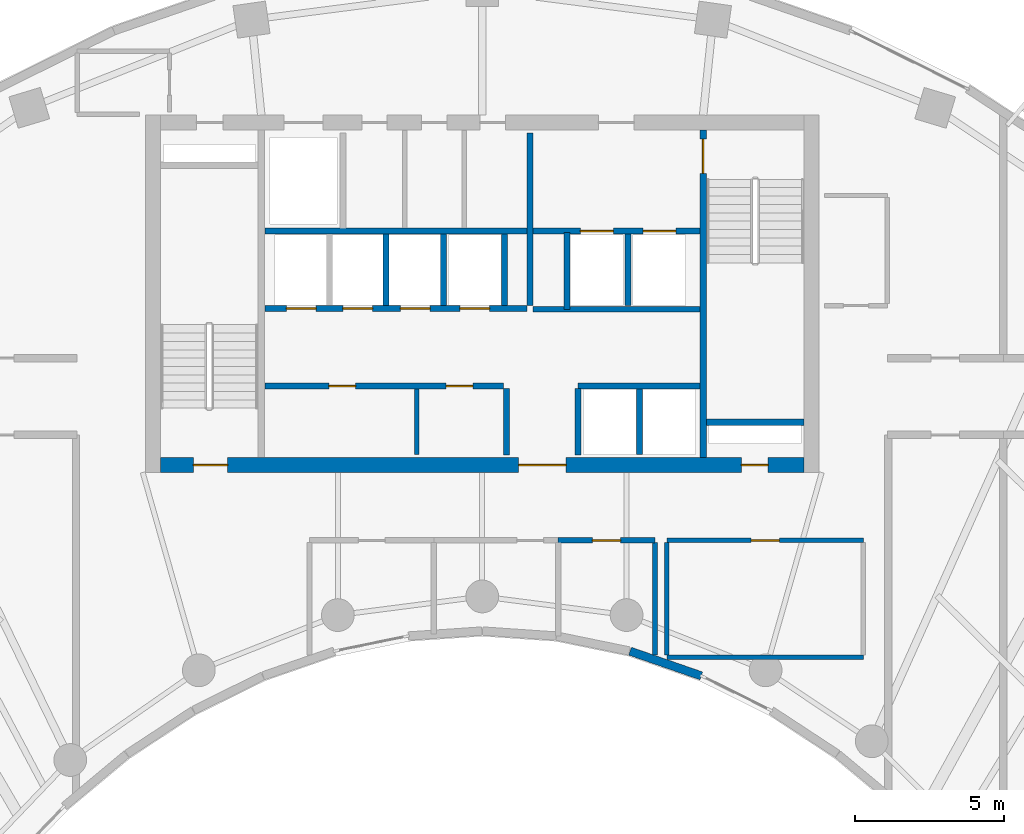
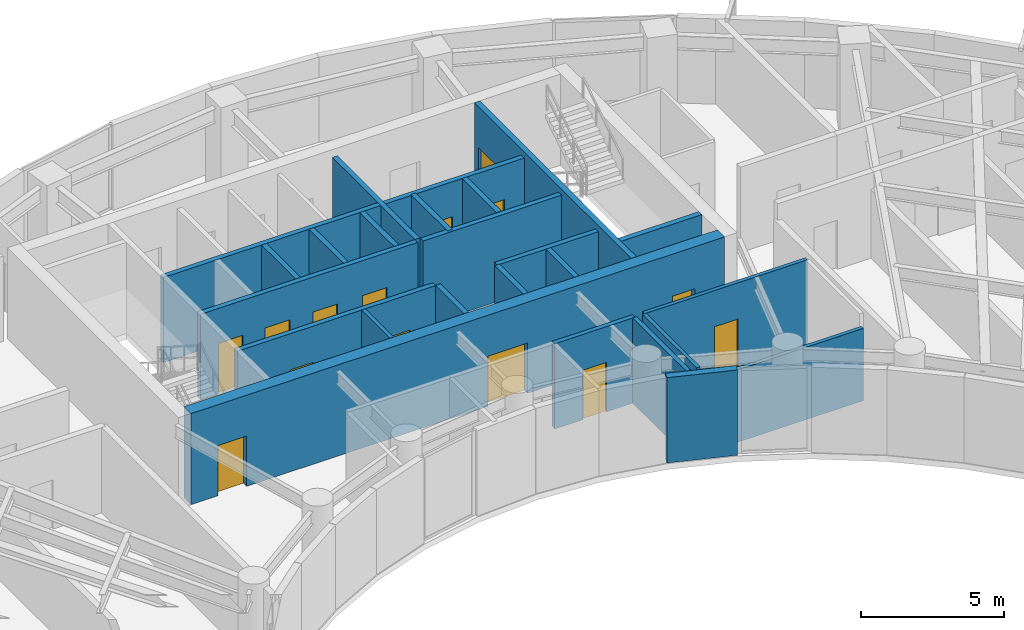
# One storey, part 9 of 14: 25 walls, 14 doors, 14 openings.
"""IFC4 building model written with IfcOpenShell, lengths in metres."""

from ifc_helpers import new_model, si_unit, direction, frame, frame_2d, origin, place, context, subcontext, project, spatial, rectangle, extrude, source, transform, mapped, material, layer, layer_set, type_object, type_shapes, element, fill, save


model = new_model("IFC4")

# Units and contexts
model_context = context("Model", 3, precision=1e-05, world=origin(), true_north=direction((0.0, 1.0)))
body_context = subcontext(model_context, "Body", "Model", "MODEL_VIEW")
ifc_project = project(units=[si_unit("LENGTHUNIT", "METRE"), si_unit("AREAUNIT", "SQUARE_METRE"), si_unit("VOLUMEUNIT", "CUBIC_METRE"), si_unit("PLANEANGLEUNIT", "RADIAN"), si_unit("MASSUNIT", "GRAM", prefix="KILO")], contexts=[model_context])

# Site, building, storey
site_placement = place(None, origin())
site = spatial("IfcSite", under=ifc_project, at=site_placement, CompositionType="ELEMENT")
building_placement = place(site_placement, origin())
building = spatial("IfcBuilding", under=site, at=building_placement, Name="Breltana Convention Tower", CompositionType="ELEMENT")
storey_placement = place(building_placement, frame((0.0, 0.0, 177.89990234375)))
storey = spatial("IfcBuildingStorey", under=building, at=storey_placement, Name="L43", CompositionType="ELEMENT", Elevation=177.89990234375)

# Wall, openings, doors
ifc_material_1 = material(Name="Concrete C60/75", Category="concrete")
ifc_layer_1 = layer(ifc_material_1, 0.5, Name="Concrete C60/75")
ifc_layer_set_1 = layer_set([ifc_layer_1], Name="Concrete C60/75")
wall_type_1 = type_object("IfcWallType", Name="SW-CORE-500", PredefinedType="SHEAR", material=ifc_layer_set_1)
shared_shape_1 = source(origin(), body_context, "Body", "SweptSolid", [
    extrude(rectangle(XDim=21.60009765625, YDim=0.5, at=frame_2d((10.800048828125, 0.0))), origin(), (0.0, 0.0, 1.0), 3.900146484375),
])
wall_1_placement = place(storey_placement, frame((37.199951171875, 60.449951171875, 0.0), z_axis=(0.0, 0.0, 1.0), x_axis=(1.0, 0.0, 0.0)))
wall_1 = element("IfcWall", 1, at=wall_1_placement, inside=storey, type_object=wall_type_1, Name="L43 South Core Shear Wall", PredefinedType="SHEAR", context=body_context, shape_type="MappedRepresentation", body=[
    mapped(shared_shape_1, transform((0.0, 0.0, 0.0), scale=1.0)),
])
opening_1_placement = place(wall_1_placement, frame((1.10009765625, 0.0, 0.0)))
opening_1 = element("IfcOpeningElement", 2, at=opening_1_placement, cuts=wall_1, Name="Opening D-11", PredefinedType="OPENING", context=body_context, shape_type="SweptSolid", body=[
    extrude(rectangle(XDim=1.14990234375, YDim=2.14990234375, at=frame_2d((0.574951171875, 1.074951171875))), frame((0.0, 0.260009765625, 0.0), z_axis=(0.0, -1.0, 0.0), x_axis=(1.0, 0.0, 0.0)), (0.0, 0.0, 1.0), 0.52001953125),
])
opening_2_placement = place(wall_1_placement, frame((19.5, 0.0, 0.0)))
opening_2 = element("IfcOpeningElement", 3, at=opening_2_placement, cuts=wall_1, Name="Opening D-18", PredefinedType="OPENING", context=body_context, shape_type="SweptSolid", body=[
    extrude(rectangle(XDim=0.89990234375, YDim=2.10009765625, at=frame_2d((0.449951171875, 1.050048828125))), frame((0.0, 0.260009765625, 0.0), z_axis=(0.0, -1.0, 0.0), x_axis=(1.0, 0.0, 0.0)), (0.0, 0.0, 1.0), 0.52001953125),
])
opening_3_placement = place(wall_1_placement, frame((12.02001953125, 0.0, 0.0)))
opening_3 = element("IfcOpeningElement", 4, at=opening_3_placement, cuts=wall_1, Name="Opening D-02", PredefinedType="OPENING", context=body_context, shape_type="SweptSolid", body=[
    extrude(rectangle(XDim=1.60009765625, YDim=2.14990234375, at=frame_2d((0.800048828125, 1.074951171875))), frame((0.0, 0.260009765625, 0.0), z_axis=(0.0, -1.0, 0.0), x_axis=(1.0, 0.0, 0.0)), (0.0, 0.0, 1.0), 0.52001953125),
])
ifc_material_2 = material(Name="Steel Stair Exit Door", Category="steel")
door_type_1 = type_object("IfcDoorType", Name="DR-FD120-1150", OperationType="NOTDEFINED", PredefinedType="DOOR", material=ifc_material_2)
shared_shape_2 = source(origin(), body_context, "Body", "SweptSolid", [
    extrude(rectangle(XDim=1.14990234375, YDim=2.14990234375, at=frame_2d((0.574951171875, 1.074951171875))), frame((0.0, 0.02490234375, 0.0), z_axis=(0.0, -1.0, 0.0), x_axis=(1.0, 0.0, 0.0)), (0.0, 0.0, 1.0), 0.050048828125),
])
type_shapes(door_type_1, [shared_shape_2])
door_1_placement = place(opening_1_placement, origin())
door_1 = element("IfcDoor", 5, at=door_1_placement, inside=storey, type_object=door_type_1, Name="L43 interior door D-L43-ST1", OperationType="SINGLE_SWING_LEFT", OverallHeight=2.14990234375, OverallWidth=1.14990234375, PredefinedType="DOOR", context=body_context, shape_type="MappedRepresentation", body=[
    mapped(shared_shape_2, transform((0.0, 0.0, 0.0), scale=1.0)),
])
fill(opening_1, door_1)
ifc_material_3 = material(Name="Steel Riser Fire Door", Category="steel")
door_type_2 = type_object("IfcDoorType", Name="DR-FD60-900", OperationType="NOTDEFINED", PredefinedType="DOOR", material=ifc_material_3)
shared_shape_3 = source(origin(), body_context, "Body", "SweptSolid", [
    extrude(rectangle(XDim=0.89990234375, YDim=2.10009765625, at=frame_2d((0.449951171875, 1.050048828125))), frame((0.0, 0.02490234375, 0.0), z_axis=(0.0, -1.0, 0.0), x_axis=(1.0, 0.0, 0.0)), (0.0, 0.0, 1.0), 0.050048828125),
])
type_shapes(door_type_2, [shared_shape_3])
door_2_placement = place(opening_2_placement, origin())
door_2 = element("IfcDoor", 6, at=door_2_placement, inside=storey, type_object=door_type_2, Name="L43 Core Riser Access Door D-L43-RS2", OperationType="SINGLE_SWING_RIGHT", OverallHeight=2.10009765625, OverallWidth=0.89990234375, PredefinedType="DOOR", context=body_context, shape_type="MappedRepresentation", body=[
    mapped(shared_shape_3, transform((0.0, 0.0, 0.0), scale=1.0)),
])
fill(opening_2, door_2)
ifc_material_4 = material(Name="Steel Glazed Smoke-Control Door", Category="steel")
door_type_3 = type_object("IfcDoorType", Name="DR-DBL-FD90-1600", OperationType="DOUBLE_DOOR_SINGLE_SWING", PredefinedType="DOOR", material=ifc_material_4)
shared_shape_4 = source(origin(), body_context, "Body", "SweptSolid", [
    extrude(rectangle(XDim=1.60009765625, YDim=2.14990234375, at=frame_2d((0.800048828125, 1.074951171875))), frame((0.0, 0.02490234375, 0.0), z_axis=(0.0, -1.0, 0.0), x_axis=(1.0, 0.0, 0.0)), (0.0, 0.0, 1.0), 0.050048828125),
])
type_shapes(door_type_3, [shared_shape_4])
door_3_placement = place(opening_3_placement, origin())
door_3 = element("IfcDoor", 7, at=door_3_placement, inside=storey, type_object=door_type_3, Name="L43 interior door D-L43-LLB-S", OperationType="DOUBLE_DOOR_SINGLE_SWING", OverallHeight=2.14990234375, OverallWidth=1.60009765625, PredefinedType="DOOR", context=body_context, shape_type="MappedRepresentation", body=[
    mapped(shared_shape_4, transform((0.0, 0.0, 0.0), scale=1.0)),
])
fill(opening_3, door_3)

# Wall
ifc_material_5 = material(Name="Concrete C50/60", Category="concrete")
ifc_layer_2 = layer(ifc_material_5, 0.39990234375, Name="Concrete C50/60")
ifc_layer_set_2 = layer_set([ifc_layer_2], Name="Concrete C50/60")
wall_type_2 = type_object("IfcWallType", Name="SW-CORE-400", PredefinedType="SHEAR", material=ifc_layer_set_2)
shared_shape_5 = source(origin(), body_context, "Body", "SweptSolid", [
    extrude(rectangle(XDim=3.27001953125, YDim=0.219970703125, at=frame_2d((1.635009765625, 0.0))), origin(), (0.0, 0.0, 1.0), 3.900146484375),
])
wall_2_placement = place(storey_placement, frame((55.530029296875, 61.889892578125, 0.0), z_axis=(0.0, 0.0, 1.0), x_axis=(1.0, 0.0, 0.0)))
element("IfcWall", 8, at=wall_2_placement, inside=storey, type_object=wall_type_2, Name="L43 ST-2 Stairwell South Bearing Wall", PredefinedType="SHEAR", context=body_context, shape_type="MappedRepresentation", body=[
    mapped(shared_shape_5, transform((0.0, 0.0, 0.0), scale=1.0)),
])

# Wall, opening, door
shared_shape_6 = source(origin(), body_context, "Body", "SweptSolid", [
    extrude(rectangle(XDim=11.0, YDim=0.219970703125, at=frame_2d((5.5, 0.0))), origin(), (0.0, 0.0, 1.0), 3.900146484375),
])
wall_3_placement = place(storey_placement, frame((55.419921875, 60.699951171875, 0.0), z_axis=(0.0, 0.0, 1.0), x_axis=(0.0, 1.0, 0.0)))
wall_3 = element("IfcWall", 9, at=wall_3_placement, inside=storey, type_object=wall_type_2, Name="L43 Core East Stair Spine Wall", PredefinedType="SHEAR", context=body_context, shape_type="MappedRepresentation", body=[
    mapped(shared_shape_6, transform((0.0, 0.0, 0.0), scale=1.0)),
])
opening_4_placement = place(wall_3_placement, frame((9.544921875, 0.0, 0.0)))
opening_4 = element("IfcOpeningElement", 10, at=opening_4_placement, cuts=wall_3, Name="Opening D-11", PredefinedType="OPENING", context=body_context, shape_type="SweptSolid", body=[
    extrude(rectangle(XDim=1.14990234375, YDim=2.14990234375, at=frame_2d((0.574951171875, 1.074951171875))), frame((0.0, 0.1201171875, 0.0), z_axis=(0.0, -1.0, 0.0), x_axis=(1.0, 0.0, 0.0)), (0.0, 0.0, 1.0), 0.239990234375),
])
door_4_placement = place(opening_4_placement, origin())
door_4 = element("IfcDoor", 11, at=door_4_placement, inside=storey, type_object=door_type_1, Name="L43 interior door D-L43-ST2", OperationType="SINGLE_SWING_LEFT", OverallHeight=2.14990234375, OverallWidth=1.14990234375, PredefinedType="DOOR", context=body_context, shape_type="MappedRepresentation", body=[
    mapped(shared_shape_2, transform((0.0, 0.0, 0.0), scale=1.0)),
])
fill(opening_4, door_4)

# Walls
ifc_material_6 = material(Name="Limestone Buff Insulated Wall", Category="masonry")
ifc_layer_3 = layer(ifc_material_6, 0.280029296875, Name="Limestone Buff Insulated Wall")
ifc_layer_set_3 = layer_set([ifc_layer_3], Name="Limestone Buff Insulated Wall")
wall_type_3 = type_object("IfcWallType", Name="WL-EXT-NOSE-280", PredefinedType="SOLIDWALL", material=ifc_layer_set_3)
shared_shape_7 = source(origin(), body_context, "Body", "SweptSolid", [
    extrude(rectangle(XDim=2.52978515625, YDim=0.280029296875, at=frame_2d((1.264892578125, 0.0))), origin(), (0.0, 0.0, 1.0), 3.650146484375),
])
wall_4_placement = place(storey_placement, frame((55.35546875, 53.369873046875, 0.0), z_axis=(0.0, 0.0, 1.0), x_axis=(-0.944872429646, 0.327438683872, 0.0)))
element("IfcWall", 12, at=wall_4_placement, inside=storey, type_object=wall_type_3, Name="L43 curved limestone nose wall E10", PredefinedType="SOLIDWALL", context=body_context, shape_type="MappedRepresentation", body=[
    mapped(shared_shape_7, transform((0.0, 0.0, 0.0), scale=1.0)),
])
ifc_material_7 = material(Name="Autoclaved Aerated Concrete Block", Category="concrete")
ifc_layer_4 = layer(ifc_material_7, 0.199951171875, Name="Autoclaved Aerated Concrete Block")
ifc_layer_set_4 = layer_set([ifc_layer_4], Name="Autoclaved Aerated Concrete Block")
wall_type_4 = type_object("IfcWallType", Name="WL-SHAFT-200", PredefinedType="SOLIDWALL", material=ifc_layer_set_4)
shared_shape_8 = source(origin(), body_context, "Body", "SweptSolid", [
    extrude(rectangle(XDim=2.239990234375, YDim=0.199951171875, at=frame_2d((1.1201171875, 0.0))), origin(), (0.0, 0.0, 1.0), 3.650146484375),
])
for number, where, z_axis, x_axis, name in (
    (13, (48.820068359375, 60.780029296875, 0.0), (0.0, 0.0, 1.0), (0.0, 1.0, 0.0), "L43 interior partition W-L43-PORT-W"),
    (14, (51.219970703125, 60.780029296875, 0.0), (0.0, 0.0, 1.0), (0.0, 1.0, 0.0), "L43 interior partition W-L43-PORT-E"),
):
    element("IfcWall", number, at=place(storey_placement, frame(where, z_axis=z_axis, x_axis=x_axis)), inside=storey, type_object=wall_type_4, Name=name, PredefinedType="SOLIDWALL", context=body_context, shape_type="MappedRepresentation", body=[
        mapped(shared_shape_8, transform((0.0, 0.0, 0.0), scale=1.0)),
    ])

# Wall, openings, doors
shared_shape_9 = source(origin(), body_context, "Body", "SweptSolid", [
    extrude(rectangle(XDim=5.6201171875, YDim=0.199951171875, at=frame_2d((2.81005859375, 0.0))), origin(), (0.0, 0.0, 1.0), 3.650146484375),
])
wall_5_placement = place(storey_placement, frame((49.699951171875, 68.300048828125, 0.0), z_axis=(0.0, 0.0, 1.0), x_axis=(1.0, 0.0, 0.0)))
wall_5 = element("IfcWall", 15, at=wall_5_placement, inside=storey, type_object=wall_type_4, Name="L43 interior partition W-L43-FFL-S", PredefinedType="SOLIDWALL", context=body_context, shape_type="MappedRepresentation", body=[
    mapped(shared_shape_9, transform((0.0, 0.0, 0.0), scale=1.0)),
])
opening_5_placement = place(wall_5_placement, frame((1.60009765625, 0.0, 0.0)))
opening_5 = element("IfcOpeningElement", 16, at=opening_5_placement, cuts=wall_5, Name="Opening LD-03", PredefinedType="OPENING", context=body_context, shape_type="SweptSolid", body=[
    extrude(rectangle(XDim=1.10009765625, YDim=2.14990234375, at=frame_2d((0.550048828125, 1.074951171875))), frame((0.0, 0.10986328125, 0.0), z_axis=(0.0, -1.0, 0.0), x_axis=(1.0, 0.0, 0.0)), (0.0, 0.0, 1.0), 0.219970703125),
])
opening_6_placement = place(wall_5_placement, frame((3.699951171875, 0.0, 0.0)))
opening_6 = element("IfcOpeningElement", 17, at=opening_6_placement, cuts=wall_5, Name="Opening LD-03", PredefinedType="OPENING", context=body_context, shape_type="SweptSolid", body=[
    extrude(rectangle(XDim=1.10009765625, YDim=2.14990234375, at=frame_2d((0.550048828125, 1.074951171875))), frame((0.0, 0.10986328125, 0.0), z_axis=(0.0, -1.0, 0.0), x_axis=(1.0, 0.0, 0.0)), (0.0, 0.0, 1.0), 0.219970703125),
])
ifc_material_8 = material(Name="Stainless Steel Brushed", Category="steel")
door_type_4 = type_object("IfcDoorType", Name="DR-LD-FF-1100", OperationType="DOUBLE_DOOR_SLIDING", PredefinedType="DOOR", material=ifc_material_8)
shared_shape_10 = source(origin(), body_context, "Body", "SweptSolid", [
    extrude(rectangle(XDim=1.10009765625, YDim=2.14990234375, at=frame_2d((0.550048828125, 1.074951171875))), frame((0.0, 0.02490234375, 0.0), z_axis=(0.0, -1.0, 0.0), x_axis=(1.0, 0.0, 0.0)), (0.0, 0.0, 1.0), 0.050048828125),
])
type_shapes(door_type_4, [shared_shape_10])
door_5_placement = place(opening_5_placement, origin())
door_5 = element("IfcDoor", 18, at=door_5_placement, inside=storey, type_object=door_type_4, Name="L43 Lift Landing Door D-L43-LD-FL1", OperationType="DOUBLE_DOOR_SLIDING", OverallHeight=2.14990234375, OverallWidth=1.10009765625, PredefinedType="DOOR", context=body_context, shape_type="MappedRepresentation", body=[
    mapped(shared_shape_10, transform((0.0, 0.0, 0.0), scale=1.0)),
])
fill(opening_5, door_5)
door_6_placement = place(opening_6_placement, origin())
door_6 = element("IfcDoor", 19, at=door_6_placement, inside=storey, type_object=door_type_4, Name="L43 Lift Landing Door D-L43-LD-FL2", OperationType="DOUBLE_DOOR_SLIDING", OverallHeight=2.14990234375, OverallWidth=1.10009765625, PredefinedType="DOOR", context=body_context, shape_type="MappedRepresentation", body=[
    mapped(shared_shape_10, transform((0.0, 0.0, 0.0), scale=1.0)),
])
fill(opening_6, door_6)

# Walls
wall_6_placement = place(storey_placement, frame((49.699951171875, 65.679931640625, 0.0), z_axis=(0.0, 0.0, 1.0), x_axis=(1.0, 0.0, 0.0)))
element("IfcWall", 20, at=wall_6_placement, inside=storey, type_object=wall_type_4, Name="L43 interior partition W-L43-FL-S", PredefinedType="SOLIDWALL", context=body_context, shape_type="MappedRepresentation", body=[
    mapped(shared_shape_9, transform((0.0, 0.0, 0.0), scale=1.0)),
])
shared_shape_11 = source(origin(), body_context, "Body", "SweptSolid", [
    extrude(rectangle(XDim=5.800048828125, YDim=0.199951171875, at=frame_2d((2.89990234375, 0.0))), origin(), (0.0, 0.0, 1.0), 3.650146484375),
])
wall_7_placement = place(storey_placement, frame((49.60009765625, 65.800048828125, 0.0), z_axis=(0.0, 0.0, 1.0), x_axis=(0.0, 1.0, 0.0)))
element("IfcWall", 21, at=wall_7_placement, inside=storey, type_object=wall_type_4, Name="L43 interior partition W-L43-FFL-W", PredefinedType="SOLIDWALL", context=body_context, shape_type="MappedRepresentation", body=[
    mapped(shared_shape_11, transform((0.0, 0.0, 0.0), scale=1.0)),
])
shared_shape_12 = source(origin(), body_context, "Body", "SweptSolid", [
    extrude(rectangle(XDim=2.580078125, YDim=0.199951171875, at=frame_2d((1.2900390625, 0.0))), origin(), (0.0, 0.0, 1.0), 3.650146484375),
])
wall_8_placement = place(storey_placement, frame((50.85009765625, 65.679931640625, 0.0), z_axis=(0.0, 0.0, 1.0), x_axis=(0.0, 1.0, 0.0)))
element("IfcWall", 22, at=wall_8_placement, inside=storey, type_object=wall_type_4, Name="L43 interior partition W-L43-FL-W", PredefinedType="SOLIDWALL", context=body_context, shape_type="MappedRepresentation", body=[
    mapped(shared_shape_12, transform((0.0, 0.0, 0.0), scale=1.0)),
])
shared_shape_13 = source(origin(), body_context, "Body", "SweptSolid", [
    extrude(rectangle(XDim=2.39990234375, YDim=0.199951171875, at=frame_2d((1.199951171875, 0.0))), origin(), (0.0, 0.0, 1.0), 3.650146484375),
])
for number, where, z_axis, x_axis, name in (
    (23, (52.89990234375, 65.800048828125, 0.0), (0.0, 0.0, 1.0), (0.0, 1.0, 0.0), "L43 interior partition W-L43-FL-DIV"),
    (24, (48.75, 65.800048828125, 0.0), (0.0, 0.0, 1.0), (0.0, 1.0, 0.0), "L43 interior partition W-L43-SH-M-END"),
    (25, (44.77001953125, 65.800048828125, 0.0), (0.0, 0.0, 1.0), (0.0, 1.0, 0.0), "L43 interior partition W-L43-SH-M-DIV2"),
    (26, (46.699951171875, 65.800048828125, 0.0), (0.0, 0.0, 1.0), (0.0, 1.0, 0.0), "L43 interior partition W-L43-SH-M-DIV3"),
):
    element("IfcWall", number, at=place(storey_placement, frame(where, z_axis=z_axis, x_axis=x_axis)), inside=storey, type_object=wall_type_4, Name=name, PredefinedType="SOLIDWALL", context=body_context, shape_type="MappedRepresentation", body=[
        mapped(shared_shape_13, transform((0.0, 0.0, 0.0), scale=1.0)),
    ])
shared_shape_14 = source(origin(), body_context, "Body", "SweptSolid", [
    extrude(rectangle(XDim=8.800048828125, YDim=0.199951171875, at=frame_2d((4.39990234375, 0.0))), origin(), (0.0, 0.0, 1.0), 3.650146484375),
])
wall_9_placement = place(storey_placement, frame((40.699951171875, 68.300048828125, 0.0), z_axis=(0.0, 0.0, 1.0), x_axis=(1.0, 0.0, 0.0)))
element("IfcWall", 27, at=wall_9_placement, inside=storey, type_object=wall_type_4, Name="L43 interior partition W-L43-SV-S", PredefinedType="SOLIDWALL", context=body_context, shape_type="MappedRepresentation", body=[
    mapped(shared_shape_14, transform((0.0, 0.0, 0.0), scale=1.0)),
])

# Wall, openings, doors
wall_10_placement = place(storey_placement, frame((40.699951171875, 65.699951171875, 0.0), z_axis=(0.0, 0.0, 1.0), x_axis=(1.0, 0.0, 0.0)))
wall_10 = element("IfcWall", 28, at=wall_10_placement, inside=storey, type_object=wall_type_4, Name="L43 interior partition W-L43-SH-M-FRONT", PredefinedType="SOLIDWALL", context=body_context, shape_type="MappedRepresentation", body=[
    mapped(shared_shape_14, transform((0.0, 0.0, 0.0), scale=1.0)),
])
opening_7_placement = place(wall_10_placement, frame((0.719970703125, 0.0, 0.0)))
opening_7 = element("IfcOpeningElement", 29, at=opening_7_placement, cuts=wall_10, Name="Opening LD-04", PredefinedType="OPENING", context=body_context, shape_type="SweptSolid", body=[
    extrude(rectangle(XDim=1.0, YDim=2.14990234375, at=frame_2d((0.5, 1.074951171875))), frame((0.0, 0.10986328125, 0.0), z_axis=(0.0, -1.0, 0.0), x_axis=(1.0, 0.0, 0.0)), (0.0, 0.0, 1.0), 0.219970703125),
])
opening_8_placement = place(wall_10_placement, frame((2.6201171875, 0.0, 0.0)))
opening_8 = element("IfcOpeningElement", 30, at=opening_8_placement, cuts=wall_10, Name="Opening LD-04", PredefinedType="OPENING", context=body_context, shape_type="SweptSolid", body=[
    extrude(rectangle(XDim=1.0, YDim=2.14990234375, at=frame_2d((0.5, 1.074951171875))), frame((0.0, 0.10986328125, 0.0), z_axis=(0.0, -1.0, 0.0), x_axis=(1.0, 0.0, 0.0)), (0.0, 0.0, 1.0), 0.219970703125),
])
opening_9_placement = place(wall_10_placement, frame((4.550048828125, 0.0, 0.0)))
opening_9 = element("IfcOpeningElement", 31, at=opening_9_placement, cuts=wall_10, Name="Opening LD-04", PredefinedType="OPENING", context=body_context, shape_type="SweptSolid", body=[
    extrude(rectangle(XDim=1.0, YDim=2.14990234375, at=frame_2d((0.5, 1.074951171875))), frame((0.0, 0.10986328125, 0.0), z_axis=(0.0, -1.0, 0.0), x_axis=(1.0, 0.0, 0.0)), (0.0, 0.0, 1.0), 0.219970703125),
])
opening_10_placement = place(wall_10_placement, frame((6.550048828125, 0.0, 0.0)))
opening_10 = element("IfcOpeningElement", 32, at=opening_10_placement, cuts=wall_10, Name="Opening LD-04", PredefinedType="OPENING", context=body_context, shape_type="SweptSolid", body=[
    extrude(rectangle(XDim=1.0, YDim=2.14990234375, at=frame_2d((0.5, 1.074951171875))), frame((0.0, 0.10986328125, 0.0), z_axis=(0.0, -1.0, 0.0), x_axis=(1.0, 0.0, 0.0)), (0.0, 0.0, 1.0), 0.219970703125),
])
door_type_5 = type_object("IfcDoorType", Name="DR-LD-PAX-1000", OperationType="DOUBLE_DOOR_SLIDING", PredefinedType="DOOR", material=ifc_material_8)
shared_shape_15 = source(origin(), body_context, "Body", "SweptSolid", [
    extrude(rectangle(XDim=1.0, YDim=2.14990234375, at=frame_2d((0.5, 1.074951171875))), frame((0.0, 0.02490234375, 0.0), z_axis=(0.0, -1.0, 0.0), x_axis=(1.0, 0.0, 0.0)), (0.0, 0.0, 1.0), 0.050048828125),
])
type_shapes(door_type_5, [shared_shape_15])
door_7_placement = place(opening_7_placement, origin())
door_7 = element("IfcDoor", 33, at=door_7_placement, inside=storey, type_object=door_type_5, Name="L43 Lift Landing Door D-L43-LD-M1", OperationType="DOUBLE_DOOR_SLIDING", OverallHeight=2.14990234375, OverallWidth=1.0, PredefinedType="DOOR", context=body_context, shape_type="MappedRepresentation", body=[
    mapped(shared_shape_15, transform((0.0, 0.0, 0.0), scale=1.0)),
])
fill(opening_7, door_7)
door_8_placement = place(opening_8_placement, origin())
door_8 = element("IfcDoor", 34, at=door_8_placement, inside=storey, type_object=door_type_5, Name="L43 Lift Landing Door D-L43-LD-M2", OperationType="DOUBLE_DOOR_SLIDING", OverallHeight=2.14990234375, OverallWidth=1.0, PredefinedType="DOOR", context=body_context, shape_type="MappedRepresentation", body=[
    mapped(shared_shape_15, transform((0.0, 0.0, 0.0), scale=1.0)),
])
fill(opening_8, door_8)
door_9_placement = place(opening_9_placement, origin())
door_9 = element("IfcDoor", 35, at=door_9_placement, inside=storey, type_object=door_type_5, Name="L43 Lift Landing Door D-L43-LD-M3", OperationType="DOUBLE_DOOR_SLIDING", OverallHeight=2.14990234375, OverallWidth=1.0, PredefinedType="DOOR", context=body_context, shape_type="MappedRepresentation", body=[
    mapped(shared_shape_15, transform((0.0, 0.0, 0.0), scale=1.0)),
])
fill(opening_9, door_9)
door_10_placement = place(opening_10_placement, origin())
door_10 = element("IfcDoor", 36, at=door_10_placement, inside=storey, type_object=door_type_5, Name="L43 Lift Landing Door D-L43-LD-M4", OperationType="DOUBLE_DOOR_SLIDING", OverallHeight=2.14990234375, OverallWidth=1.0, PredefinedType="DOOR", context=body_context, shape_type="MappedRepresentation", body=[
    mapped(shared_shape_15, transform((0.0, 0.0, 0.0), scale=1.0)),
])
fill(opening_10, door_10)

shared_shape_16 = source(origin(), body_context, "Body", "SweptSolid", [
    extrude(rectangle(XDim=8.02001953125, YDim=0.199951171875, at=frame_2d((4.010009765625, 0.0))), origin(), (0.0, 0.0, 1.0), 3.650146484375),
])
wall_11_placement = place(storey_placement, frame((40.699951171875, 63.10009765625, 0.0), z_axis=(0.0, 0.0, 1.0), x_axis=(1.0, 0.0, 0.0)))
wall_11 = element("IfcWall", 37, at=wall_11_placement, inside=storey, type_object=wall_type_4, Name="L43 interior partition W-L43-SH-S-FRONT", PredefinedType="SOLIDWALL", context=body_context, shape_type="MappedRepresentation", body=[
    mapped(shared_shape_16, transform((0.0, 0.0, 0.0), scale=1.0)),
])
opening_11_placement = place(wall_11_placement, frame((2.14990234375, 0.0, 0.0)))
opening_11 = element("IfcOpeningElement", 38, at=opening_11_placement, cuts=wall_11, Name="Opening D-18", PredefinedType="OPENING", context=body_context, shape_type="SweptSolid", body=[
    extrude(rectangle(XDim=0.89990234375, YDim=2.10009765625, at=frame_2d((0.449951171875, 1.050048828125))), frame((0.0, 0.10986328125, 0.0), z_axis=(0.0, -1.0, 0.0), x_axis=(1.0, 0.0, 0.0)), (0.0, 0.0, 1.0), 0.219970703125),
])
opening_12_placement = place(wall_11_placement, frame((6.090087890625, 0.0, 0.0)))
opening_12 = element("IfcOpeningElement", 39, at=opening_12_placement, cuts=wall_11, Name="Opening D-18", PredefinedType="OPENING", context=body_context, shape_type="SweptSolid", body=[
    extrude(rectangle(XDim=0.89990234375, YDim=2.10009765625, at=frame_2d((0.449951171875, 1.050048828125))), frame((0.0, 0.10986328125, 0.0), z_axis=(0.0, -1.0, 0.0), x_axis=(1.0, 0.0, 0.0)), (0.0, 0.0, 1.0), 0.219970703125),
])
door_11_placement = place(opening_11_placement, origin())
door_11 = element("IfcDoor", 40, at=door_11_placement, inside=storey, type_object=door_type_2, Name="L43 interior door D-L43-LV7-B1A", OperationType="SINGLE_SWING_RIGHT", OverallHeight=2.10009765625, OverallWidth=0.89990234375, PredefinedType="DOOR", context=body_context, shape_type="MappedRepresentation", body=[
    mapped(shared_shape_3, transform((0.0, 0.0, 0.0), scale=1.0)),
])
fill(opening_11, door_11)
door_12_placement = place(opening_12_placement, origin())
door_12 = element("IfcDoor", 41, at=door_12_placement, inside=storey, type_object=door_type_2, Name="L43 interior door D-L43-LV7-B1B", OperationType="SINGLE_SWING_LEFT", OverallHeight=2.10009765625, OverallWidth=0.89990234375, PredefinedType="DOOR", context=body_context, shape_type="MappedRepresentation", body=[
    mapped(shared_shape_3, transform((0.0, 0.0, 0.0), scale=1.0)),
])
fill(opening_12, door_12)

# Walls
shared_shape_17 = source(origin(), body_context, "Body", "SweptSolid", [
    extrude(rectangle(XDim=4.10009765625, YDim=0.199951171875, at=frame_2d((2.050048828125, 0.0))), origin(), (0.0, 0.0, 1.0), 3.650146484375),
])
wall_12_placement = place(storey_placement, frame((51.219970703125, 63.10009765625, 0.0), z_axis=(0.0, 0.0, 1.0), x_axis=(1.0, 0.0, 0.0)))
element("IfcWall", 42, at=wall_12_placement, inside=storey, type_object=wall_type_4, Name="L43 interior partition W-L43-SH-X-FRONT", PredefinedType="SOLIDWALL", context=body_context, shape_type="MappedRepresentation", body=[
    mapped(shared_shape_17, transform((0.0, 0.0, 0.0), scale=1.0)),
])
shared_shape_18 = source(origin(), body_context, "Body", "SweptSolid", [
    extrude(rectangle(XDim=2.199951171875, YDim=0.199951171875, at=frame_2d((1.10009765625, 0.0))), origin(), (0.0, 0.0, 1.0), 3.650146484375),
])
wall_13_placement = place(storey_placement, frame((53.280029296875, 60.800048828125, 0.0), z_axis=(0.0, 0.0, 1.0), x_axis=(0.0, 1.0, 0.0)))
element("IfcWall", 43, at=wall_13_placement, inside=storey, type_object=wall_type_4, Name="L43 interior partition W-L43-SH-X-DIV", PredefinedType="SOLIDWALL", context=body_context, shape_type="MappedRepresentation", body=[
    mapped(shared_shape_18, transform((0.0, 0.0, 0.0), scale=1.0)),
])
ifc_material_9 = material(Name="Cement Board Wet-Area Partition")
ifc_layer_5 = layer(ifc_material_9, 0.175048828125, Name="Cement Board Wet-Area Partition")
ifc_layer_set_5 = layer_set([ifc_layer_5], Name="Cement Board Wet-Area Partition")
wall_type_5 = type_object("IfcWallType", Name="WL-WET-175", PredefinedType="PARTITIONING", material=ifc_layer_set_5)
shared_shape_19 = source(origin(), body_context, "Body", "SweptSolid", [
    extrude(rectangle(XDim=3.7626953125, YDim=0.175048828125, at=frame_2d((1.88134765625, 0.0))), origin(), (0.0, 0.0, 1.0), 3.650146484375),
])
wall_14_placement = place(storey_placement, frame((53.800048828125, 54.07861328125, 0.0), z_axis=(0.0, 0.0, 1.0), x_axis=(0.0, 1.0, 0.0)))
element("IfcWall", 44, at=wall_14_placement, inside=storey, type_object=wall_type_5, Name="L43 interior partition W-L43-WCA-E", PredefinedType="PARTITIONING", context=body_context, shape_type="MappedRepresentation", body=[
    mapped(shared_shape_19, transform((0.0, 0.0, 0.0), scale=1.0)),
])

# Wall, opening, door
ifc_material_10 = material(Name="Moisture-Resistant Gypsum Chase Wall")
ifc_layer_6 = layer(ifc_material_10, 0.179931640625, Name="Moisture-Resistant Gypsum Chase Wall")
ifc_layer_set_6 = layer_set([ifc_layer_6], Name="Moisture-Resistant Gypsum Chase Wall")
wall_type_6 = type_object("IfcWallType", Name="WL-PLUMB-180", PredefinedType="PLUMBINGWALL", material=ifc_layer_set_6)
shared_shape_20 = source(origin(), body_context, "Body", "SweptSolid", [
    extrude(rectangle(XDim=3.248046875, YDim=0.179931640625, at=frame_2d((1.6240234375, 0.0))), origin(), (0.0, 0.0, 1.0), 3.650146484375),
])
wall_15_placement = place(storey_placement, frame((50.552001953125, 57.919921875, 0.0), z_axis=(0.0, 0.0, 1.0), x_axis=(1.0, 0.0, 0.0)))
wall_15 = element("IfcWall", 45, at=wall_15_placement, inside=storey, type_object=wall_type_6, Name="L43 interior partition W-L43-WCA-N", PredefinedType="PLUMBINGWALL", context=body_context, shape_type="MappedRepresentation", body=[
    mapped(shared_shape_20, transform((0.0, 0.0, 0.0), scale=1.0)),
])
opening_13_placement = place(wall_15_placement, frame((1.14892578125, 0.0, 0.0)))
opening_13 = element("IfcOpeningElement", 46, at=opening_13_placement, cuts=wall_15, Name="Opening D-16", PredefinedType="OPENING", context=body_context, shape_type="SweptSolid", body=[
    extrude(rectangle(XDim=0.949951171875, YDim=2.1201171875, at=frame_2d((0.47509765625, 1.06005859375))), frame((0.0, 0.10009765625, 0.0), z_axis=(0.0, -1.0, 0.0), x_axis=(1.0, 0.0, 0.0)), (0.0, 0.0, 1.0), 0.199951171875),
])
ifc_material_11 = material(Name="Timber Laminate Accessible Door", Category="wood")
door_type_6 = type_object("IfcDoorType", Name="DR-ACC-950", OperationType="NOTDEFINED", PredefinedType="DOOR", material=ifc_material_11)
shared_shape_21 = source(origin(), body_context, "Body", "SweptSolid", [
    extrude(rectangle(XDim=0.949951171875, YDim=2.1201171875, at=frame_2d((0.47509765625, 1.06005859375))), frame((0.0, 0.02490234375, 0.0), z_axis=(0.0, -1.0, 0.0), x_axis=(1.0, 0.0, 0.0)), (0.0, 0.0, 1.0), 0.050048828125),
])
type_shapes(door_type_6, [shared_shape_21])
door_13_placement = place(opening_13_placement, origin())
door_13 = element("IfcDoor", 47, at=door_13_placement, inside=storey, type_object=door_type_6, Name="L43 interior door D-L43-WCA", OperationType="SINGLE_SWING_RIGHT", OverallHeight=2.1201171875, OverallWidth=0.949951171875, PredefinedType="DOOR", context=body_context, shape_type="MappedRepresentation", body=[
    mapped(shared_shape_21, transform((0.0, 0.0, 0.0), scale=1.0)),
])
fill(opening_13, door_13)

# Wall
ifc_material_12 = material(Name="Gypsum Acoustic Drywall Partition")
ifc_layer_7 = layer(ifc_material_12, 0.14990234375, Name="Gypsum Acoustic Drywall Partition")
ifc_layer_set_7 = layer_set([ifc_layer_7], Name="Gypsum Acoustic Drywall Partition")
wall_type_7 = type_object("IfcWallType", Name="WL-PART-150", PredefinedType="PARTITIONING", material=ifc_layer_set_7)
shared_shape_22 = source(origin(), body_context, "Body", "SweptSolid", [
    extrude(rectangle(XDim=6.60009765625, YDim=0.14990234375, at=frame_2d((3.300048828125, 0.0))), origin(), (0.0, 0.0, 1.0), 3.09521484375),
])
wall_16_placement = place(storey_placement, frame((54.199951171875, 54.0, 0.0), z_axis=(0.0, 0.0, 1.0), x_axis=(1.0, 0.0, 0.0)))
element("IfcWall", 48, at=wall_16_placement, inside=storey, type_object=wall_type_7, Name="L43 interior partition W-L43-PNT-S", PredefinedType="PARTITIONING", context=body_context, shape_type="MappedRepresentation", body=[
    mapped(shared_shape_22, transform((0.0, 0.0, 0.0), scale=1.0)),
])

# Wall, opening, door
shared_shape_23 = source(origin(), body_context, "Body", "SweptSolid", [
    extrude(rectangle(XDim=6.60009765625, YDim=0.14990234375, at=frame_2d((3.300048828125, 0.0))), origin(), (0.0, 0.0, 1.0), 3.650146484375),
])
wall_17_placement = place(storey_placement, frame((54.199951171875, 57.919921875, 0.0), z_axis=(0.0, 0.0, 1.0), x_axis=(1.0, 0.0, 0.0)))
wall_17 = element("IfcWall", 49, at=wall_17_placement, inside=storey, type_object=wall_type_7, Name="L43 interior partition W-L43-PNT-N", PredefinedType="PARTITIONING", context=body_context, shape_type="MappedRepresentation", body=[
    mapped(shared_shape_23, transform((0.0, 0.0, 0.0), scale=1.0)),
])
opening_14_placement = place(wall_17_placement, frame((2.824951171875, 0.0, 0.0)))
opening_14 = element("IfcOpeningElement", 50, at=opening_14_placement, cuts=wall_17, Name="Opening D-17", PredefinedType="OPENING", context=body_context, shape_type="SweptSolid", body=[
    extrude(rectangle(XDim=0.949951171875, YDim=2.10009765625, at=frame_2d((0.47509765625, 1.050048828125))), frame((0.0, 0.0849609375, 0.0), z_axis=(0.0, -1.0, 0.0), x_axis=(1.0, 0.0, 0.0)), (0.0, 0.0, 1.0), 0.169921875),
])
ifc_material_13 = material(Name="Timber Oak Veneer Door", Category="wood")
door_type_7 = type_object("IfcDoorType", Name="DR-INT-950", OperationType="NOTDEFINED", PredefinedType="DOOR", material=ifc_material_13)
shared_shape_24 = source(origin(), body_context, "Body", "SweptSolid", [
    extrude(rectangle(XDim=0.949951171875, YDim=2.10009765625, at=frame_2d((0.47509765625, 1.050048828125))), frame((0.0, 0.02490234375, 0.0), z_axis=(0.0, -1.0, 0.0), x_axis=(1.0, 0.0, 0.0)), (0.0, 0.0, 1.0), 0.050048828125),
])
type_shapes(door_type_7, [shared_shape_24])
door_14_placement = place(opening_14_placement, origin())
door_14 = element("IfcDoor", 51, at=door_14_placement, inside=storey, type_object=door_type_7, Name="L43 interior door D-L43-PNT", OperationType="SINGLE_SWING_LEFT", OverallHeight=2.10009765625, OverallWidth=0.949951171875, PredefinedType="DOOR", context=body_context, shape_type="MappedRepresentation", body=[
    mapped(shared_shape_24, transform((0.0, 0.0, 0.0), scale=1.0)),
])
fill(opening_14, door_14)

# Walls
shared_shape_25 = source(origin(), body_context, "Body", "SweptSolid", [
    extrude(rectangle(XDim=3.78515625, YDim=0.14990234375, at=frame_2d((1.892578125, 0.0))), origin(), (0.0, 0.0, 1.0), 3.650146484375),
])
wall_18_placement = place(storey_placement, frame((54.199951171875, 54.0673828125, 0.0), z_axis=(0.0, 0.0, 1.0), x_axis=(0.0, 1.0, 0.0)))
element("IfcWall", 52, at=wall_18_placement, inside=storey, type_object=wall_type_7, Name="L43 interior partition W-L43-PNT-W", PredefinedType="PARTITIONING", context=body_context, shape_type="MappedRepresentation", body=[
    mapped(shared_shape_25, transform((0.0, 0.0, 0.0), scale=1.0)),
])
shared_shape_26 = source(origin(), body_context, "Body", "SweptSolid", [
    extrude(rectangle(XDim=2.199951171875, YDim=0.14990234375, at=frame_2d((1.10009765625, 0.0))), origin(), (0.0, 0.0, 1.0), 3.650146484375),
])
wall_19_placement = place(storey_placement, frame((45.800048828125, 60.800048828125, 0.0), z_axis=(0.0, 0.0, 1.0), x_axis=(0.0, 1.0, 0.0)))
element("IfcWall", 53, at=wall_19_placement, inside=storey, type_object=wall_type_7, Name="L43 interior partition W-L43-LV7-B1-DIV", PredefinedType="PARTITIONING", context=body_context, shape_type="MappedRepresentation", body=[
    mapped(shared_shape_26, transform((0.0, 0.0, 0.0), scale=1.0)),
])

save(model, "model.ifc")
